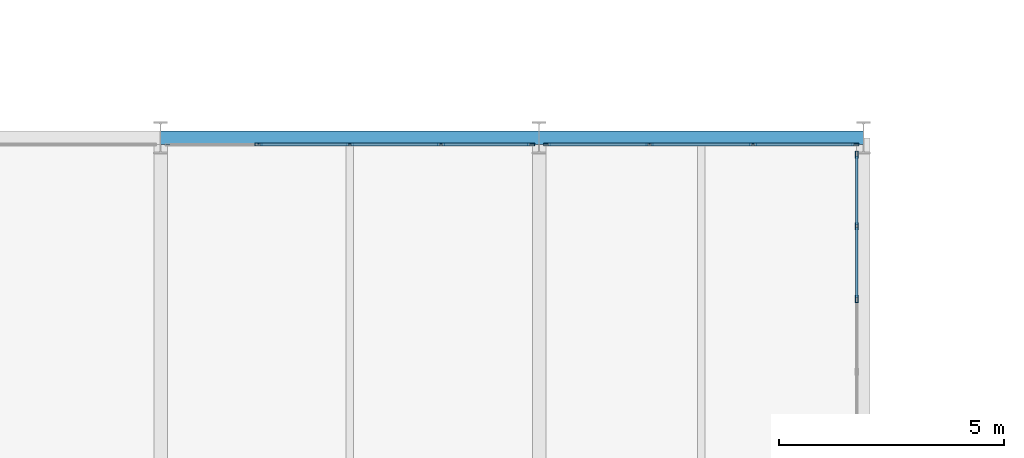
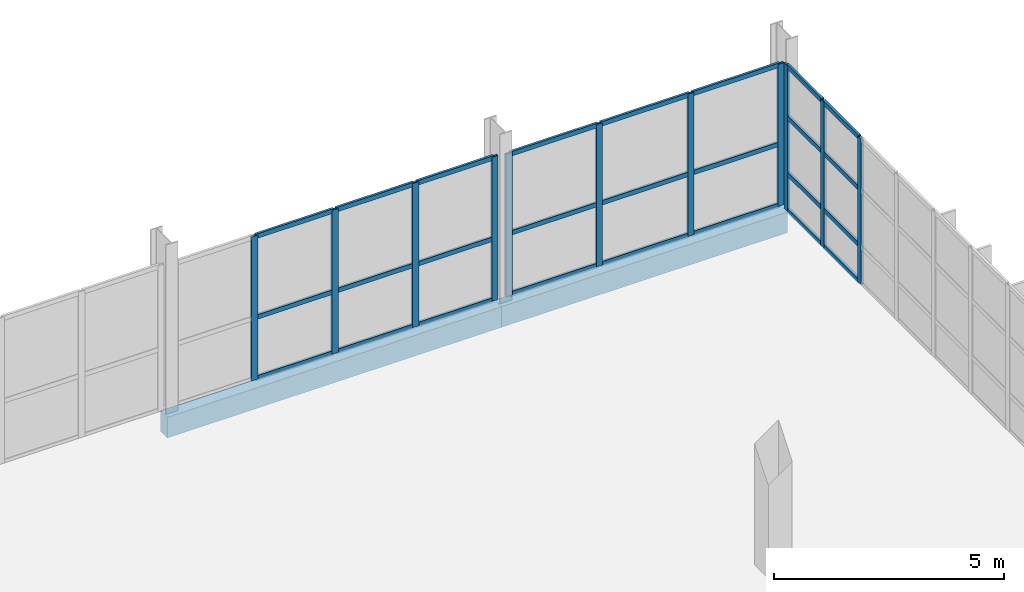
# One storey, part 86 of 113: 37 members, 2 beams, 3 elements without a shape of their own.
"""IFC4 building model written with IfcOpenShell, lengths in metres."""

from ifc_helpers import new_model, si_unit, direction, frame, origin, origin_2d, place, context, subcontext, project, spatial, rectangle, hollow_rectangle, extrude, material, material_profile, profile_set, type_object, element, aggregate, save


model = new_model("IFC4")

# Units and contexts
model_context = context("Model", 3, precision=1e-05, world=origin(), true_north=direction((0.0, 1.0)))
body_context = subcontext(model_context, "Body", "Model", "MODEL_VIEW")
ifc_project = project(units=[si_unit("LENGTHUNIT", "METRE"), si_unit("AREAUNIT", "SQUARE_METRE"), si_unit("VOLUMEUNIT", "CUBIC_METRE"), si_unit("PLANEANGLEUNIT", "RADIAN"), si_unit("MASSUNIT", "GRAM", prefix="KILO")], contexts=[model_context])

# Site, building, storey
site_placement = place(None, origin())
site = spatial("IfcSite", under=ifc_project, at=site_placement, CompositionType="ELEMENT")
building_placement = place(site_placement, origin())
building = spatial("IfcBuilding", under=site, at=building_placement, Name="Veltarok Museum of Natural Sciences", CompositionType="ELEMENT")
storey_placement = place(building_placement, frame((0.0, 0.0, 8.39990234375)))
storey = spatial("IfcBuildingStorey", under=building, at=storey_placement, Name="L01", CompositionType="ELEMENT", Elevation=8.39990234375)

# Curtain wall, members
ifc_material_1 = material(Name="Low-iron triple insulated glass", Category="glass")
curtain_wall_type_1 = type_object("IfcCurtainWallType", Name="Curtain Wall System CW-V5E-L01-G-1130x388 (V5 East Lab L01 G-H 1130x388cm)", PredefinedType="NOTDEFINED", material=ifc_material_1)
curtain_wall_1_placement = place(storey_placement, origin())
curtain_wall_1 = element("IfcCurtainWall", 1, at=curtain_wall_1_placement, inside=storey, type_object=curtain_wall_type_1, Name="Curtain Wall CW-V5E-L01-G-1130x388 CW-0108", PredefinedType="NOTDEFINED")
ifc_material_2 = material(Name="Thermally broken anodised aluminium", Category="aluminium")
ifc_material_profile_1 = material_profile(ifc_material_2, hollow_rectangle(XDim=0.06005859375, YDim=0.1201171875, WallThickness=0.0048828125, at=origin_2d()), Name="CW TRANSOM 60x120x5")
ifc_profile_set_1 = profile_set([ifc_material_profile_1], Name="Thermally broken anodised aluminium")
member_type_1 = type_object("IfcMemberType", Name="Curtain Wall Horizontal Transom 60x120x5", PredefinedType="USERDEFINED", material=ifc_profile_set_1)
member_1_placement = place(storey_placement, frame((164.64990234375, 68.451416015625, 0.030029296875), z_axis=(0.0, 1.0, 0.0), x_axis=(-1.0, 0.0, 0.0)))
member_1 = element("IfcMember", 2, at=member_1_placement, type_object=member_type_1, Name="CW-V5E-L01-G-1130x388 transom 6.1", ObjectType="TRANSOM", PredefinedType="USERDEFINED", context=body_context, shape_type="SweptSolid", body=[
    extrude(hollow_rectangle(XDim=0.06005859375, YDim=0.1201171875, WallThickness=0.0048828125, at=origin_2d()), origin(), (0.0, 0.0, 1.0), 1.55419921875),
])
member_2_placement = place(storey_placement, frame((164.64990234375, 68.451416015625, 1.0), z_axis=(0.0, 1.0, 0.0), x_axis=(-1.0, 0.0, 0.0)))
member_2 = element("IfcMember", 3, at=member_2_placement, type_object=member_type_1, Name="CW-V5E-L01-G-1130x388 transom 6.2", ObjectType="TRANSOM", PredefinedType="USERDEFINED", context=body_context, shape_type="SweptSolid", body=[
    extrude(hollow_rectangle(XDim=0.06005859375, YDim=0.1201171875, WallThickness=0.0048828125, at=origin_2d()), origin(), (0.0, 0.0, 1.0), 1.55419921875),
])
member_3_placement = place(storey_placement, frame((164.64990234375, 68.451416015625, 2.5), z_axis=(0.0, 1.0, 0.0), x_axis=(-1.0, 0.0, 0.0)))
member_3 = element("IfcMember", 4, at=member_3_placement, type_object=member_type_1, Name="CW-V5E-L01-G-1130x388 transom 6.3", ObjectType="TRANSOM", PredefinedType="USERDEFINED", context=body_context, shape_type="SweptSolid", body=[
    extrude(hollow_rectangle(XDim=0.06005859375, YDim=0.1201171875, WallThickness=0.0048828125, at=origin_2d()), origin(), (0.0, 0.0, 1.0), 1.55419921875),
])
member_4_placement = place(storey_placement, frame((164.64990234375, 68.451416015625, 3.85009765625), z_axis=(0.0, 1.0, 0.0), x_axis=(-1.0, 0.0, 0.0)))
member_4 = element("IfcMember", 5, at=member_4_placement, type_object=member_type_1, Name="CW-V5E-L01-G-1130x388 transom 6.4", ObjectType="TRANSOM", PredefinedType="USERDEFINED", context=body_context, shape_type="SweptSolid", body=[
    extrude(hollow_rectangle(XDim=0.06005859375, YDim=0.1201171875, WallThickness=0.0048828125, at=origin_2d()), origin(), (0.0, 0.0, 1.0), 1.55419921875),
])
member_5_placement = place(storey_placement, frame((164.64990234375, 70.065673828125, 0.030029296875), z_axis=(0.0, 1.0, 0.0), x_axis=(-1.0, 0.0, 0.0)))
member_5 = element("IfcMember", 6, at=member_5_placement, type_object=member_type_1, Name="CW-V5E-L01-G-1130x388 transom 7.1", ObjectType="TRANSOM", PredefinedType="USERDEFINED", context=body_context, shape_type="SweptSolid", body=[
    extrude(hollow_rectangle(XDim=0.06005859375, YDim=0.1201171875, WallThickness=0.0048828125, at=origin_2d()), origin(), (0.0, 0.0, 1.0), 1.5244140625),
])
member_6_placement = place(storey_placement, frame((164.64990234375, 70.065673828125, 1.0), z_axis=(0.0, 1.0, 0.0), x_axis=(-1.0, 0.0, 0.0)))
member_6 = element("IfcMember", 7, at=member_6_placement, type_object=member_type_1, Name="CW-V5E-L01-G-1130x388 transom 7.2", ObjectType="TRANSOM", PredefinedType="USERDEFINED", context=body_context, shape_type="SweptSolid", body=[
    extrude(hollow_rectangle(XDim=0.06005859375, YDim=0.1201171875, WallThickness=0.0048828125, at=origin_2d()), origin(), (0.0, 0.0, 1.0), 1.5244140625),
])
member_7_placement = place(storey_placement, frame((164.64990234375, 70.065673828125, 2.5), z_axis=(0.0, 1.0, 0.0), x_axis=(-1.0, 0.0, 0.0)))
member_7 = element("IfcMember", 8, at=member_7_placement, type_object=member_type_1, Name="CW-V5E-L01-G-1130x388 transom 7.3", ObjectType="TRANSOM", PredefinedType="USERDEFINED", context=body_context, shape_type="SweptSolid", body=[
    extrude(hollow_rectangle(XDim=0.06005859375, YDim=0.1201171875, WallThickness=0.0048828125, at=origin_2d()), origin(), (0.0, 0.0, 1.0), 1.5244140625),
])
member_8_placement = place(storey_placement, frame((164.64990234375, 70.065673828125, 3.85009765625), z_axis=(0.0, 1.0, 0.0), x_axis=(-1.0, 0.0, 0.0)))
member_8 = element("IfcMember", 9, at=member_8_placement, type_object=member_type_1, Name="CW-V5E-L01-G-1130x388 transom 7.4", ObjectType="TRANSOM", PredefinedType="USERDEFINED", context=body_context, shape_type="SweptSolid", body=[
    extrude(hollow_rectangle(XDim=0.06005859375, YDim=0.1201171875, WallThickness=0.0048828125, at=origin_2d()), origin(), (0.0, 0.0, 1.0), 1.5244140625),
])

curtain_wall_type_2 = type_object("IfcCurtainWallType", Name="Curtain Wall System CW-V5N-L01-1-810x383 (CW-V5N L01 810x383cm)", PredefinedType="NOTDEFINED", material=ifc_material_1)
curtain_wall_2_placement = place(storey_placement, origin())
curtain_wall_2 = element("IfcCurtainWall", 10, at=curtain_wall_2_placement, inside=storey, type_object=curtain_wall_type_2, Name="Curtain Wall CW-V5N-L01-1-810x383 CW-0201", PredefinedType="NOTDEFINED")
member_9_placement = place(storey_placement, frame((157.389892578125, 71.85009765625, 0.028076171875), z_axis=(-1.0, 0.0, 0.0), x_axis=(0.0, -1.0, 0.0)))
member_9 = element("IfcMember", 11, at=member_9_placement, type_object=member_type_1, Name="CW-V5N-L01-1-810x383 transom 1.1", ObjectType="TRANSOM", PredefinedType="USERDEFINED", context=body_context, shape_type="SweptSolid", body=[
    extrude(hollow_rectangle(XDim=0.06005859375, YDim=0.1201171875, WallThickness=0.0048828125, at=origin_2d()), origin(), (0.0, 0.0, 1.0), 1.934814453125),
])
member_10_placement = place(storey_placement, frame((157.389892578125, 71.85009765625, 1.648193359375), z_axis=(-1.0, 0.0, 0.0), x_axis=(0.0, -1.0, 0.0)))
member_10 = element("IfcMember", 12, at=member_10_placement, type_object=member_type_1, Name="CW-V5N-L01-1-810x383 transom 1.2", ObjectType="TRANSOM", PredefinedType="USERDEFINED", context=body_context, shape_type="SweptSolid", body=[
    extrude(hollow_rectangle(XDim=0.06005859375, YDim=0.1201171875, WallThickness=0.0048828125, at=origin_2d()), origin(), (0.0, 0.0, 1.0), 1.934814453125),
])
member_11_placement = place(storey_placement, frame((157.389892578125, 71.85009765625, 3.800048828125), z_axis=(-1.0, 0.0, 0.0), x_axis=(0.0, -1.0, 0.0)))
member_11 = element("IfcMember", 13, at=member_11_placement, type_object=member_type_1, Name="CW-V5N-L01-1-810x383 transom 1.3", ObjectType="TRANSOM", PredefinedType="USERDEFINED", context=body_context, shape_type="SweptSolid", body=[
    extrude(hollow_rectangle(XDim=0.06005859375, YDim=0.1201171875, WallThickness=0.0048828125, at=origin_2d()), origin(), (0.0, 0.0, 1.0), 1.934814453125),
])
member_12_placement = place(storey_placement, frame((155.39501953125, 71.85009765625, 0.028076171875), z_axis=(-1.0, 0.0, 0.0), x_axis=(0.0, -1.0, 0.0)))
member_12 = element("IfcMember", 14, at=member_12_placement, type_object=member_type_1, Name="CW-V5N-L01-1-810x383 transom 2.1", ObjectType="TRANSOM", PredefinedType="USERDEFINED", context=body_context, shape_type="SweptSolid", body=[
    extrude(hollow_rectangle(XDim=0.06005859375, YDim=0.1201171875, WallThickness=0.0048828125, at=origin_2d()), origin(), (0.0, 0.0, 1.0), 1.965087890625),
])
member_13_placement = place(storey_placement, frame((155.39501953125, 71.85009765625, 1.648193359375), z_axis=(-1.0, 0.0, 0.0), x_axis=(0.0, -1.0, 0.0)))
member_13 = element("IfcMember", 15, at=member_13_placement, type_object=member_type_1, Name="CW-V5N-L01-1-810x383 transom 2.2", ObjectType="TRANSOM", PredefinedType="USERDEFINED", context=body_context, shape_type="SweptSolid", body=[
    extrude(hollow_rectangle(XDim=0.06005859375, YDim=0.1201171875, WallThickness=0.0048828125, at=origin_2d()), origin(), (0.0, 0.0, 1.0), 1.965087890625),
])
member_14_placement = place(storey_placement, frame((155.39501953125, 71.85009765625, 3.800048828125), z_axis=(-1.0, 0.0, 0.0), x_axis=(0.0, -1.0, 0.0)))
member_14 = element("IfcMember", 16, at=member_14_placement, type_object=member_type_1, Name="CW-V5N-L01-1-810x383 transom 2.3", ObjectType="TRANSOM", PredefinedType="USERDEFINED", context=body_context, shape_type="SweptSolid", body=[
    extrude(hollow_rectangle(XDim=0.06005859375, YDim=0.1201171875, WallThickness=0.0048828125, at=origin_2d()), origin(), (0.0, 0.0, 1.0), 1.965087890625),
])
member_15_placement = place(storey_placement, frame((153.3701171875, 71.85009765625, 0.028076171875), z_axis=(-1.0, 0.0, 0.0), x_axis=(0.0, -1.0, 0.0)))
member_15 = element("IfcMember", 17, at=member_15_placement, type_object=member_type_1, Name="CW-V5N-L01-1-810x383 transom 3.1", ObjectType="TRANSOM", PredefinedType="USERDEFINED", context=body_context, shape_type="SweptSolid", body=[
    extrude(hollow_rectangle(XDim=0.06005859375, YDim=0.1201171875, WallThickness=0.0048828125, at=origin_2d()), origin(), (0.0, 0.0, 1.0), 1.965087890625),
])
member_16_placement = place(storey_placement, frame((153.3701171875, 71.85009765625, 1.648193359375), z_axis=(-1.0, 0.0, 0.0), x_axis=(0.0, -1.0, 0.0)))
member_16 = element("IfcMember", 18, at=member_16_placement, type_object=member_type_1, Name="CW-V5N-L01-1-810x383 transom 3.2", ObjectType="TRANSOM", PredefinedType="USERDEFINED", context=body_context, shape_type="SweptSolid", body=[
    extrude(hollow_rectangle(XDim=0.06005859375, YDim=0.1201171875, WallThickness=0.0048828125, at=origin_2d()), origin(), (0.0, 0.0, 1.0), 1.965087890625),
])
member_17_placement = place(storey_placement, frame((153.3701171875, 71.85009765625, 3.800048828125), z_axis=(-1.0, 0.0, 0.0), x_axis=(0.0, -1.0, 0.0)))
member_17 = element("IfcMember", 19, at=member_17_placement, type_object=member_type_1, Name="CW-V5N-L01-1-810x383 transom 3.3", ObjectType="TRANSOM", PredefinedType="USERDEFINED", context=body_context, shape_type="SweptSolid", body=[
    extrude(hollow_rectangle(XDim=0.06005859375, YDim=0.1201171875, WallThickness=0.0048828125, at=origin_2d()), origin(), (0.0, 0.0, 1.0), 1.965087890625),
])

curtain_wall_type_3 = type_object("IfcCurtainWallType", Name="Curtain Wall System CW-V5N-L01-2-690x378 (CW-V5N L01 690x378cm)", PredefinedType="NOTDEFINED", material=ifc_material_1)
curtain_wall_3_placement = place(storey_placement, origin())
curtain_wall_3 = element("IfcCurtainWall", 20, at=curtain_wall_3_placement, inside=storey, type_object=curtain_wall_type_3, Name="Curtain Wall CW-V5N-L01-2-690x378 CW-0202", PredefinedType="NOTDEFINED")
member_18_placement = place(storey_placement, frame((164.590087890625, 71.85009765625, 0.028076171875), z_axis=(-1.0, 0.0, 0.0), x_axis=(0.0, -1.0, 0.0)))
member_18 = element("IfcMember", 21, at=member_18_placement, type_object=member_type_1, Name="CW-V5N-L01-2-690x378 transom 1.1", ObjectType="TRANSOM", PredefinedType="USERDEFINED", context=body_context, shape_type="SweptSolid", body=[
    extrude(hollow_rectangle(XDim=0.06005859375, YDim=0.1201171875, WallThickness=0.0048828125, at=origin_2d()), origin(), (0.0, 0.0, 1.0), 2.210205078125),
])
member_19_placement = place(storey_placement, frame((164.590087890625, 71.85009765625, 1.648193359375), z_axis=(-1.0, 0.0, 0.0), x_axis=(0.0, -1.0, 0.0)))
member_19 = element("IfcMember", 22, at=member_19_placement, type_object=member_type_1, Name="CW-V5N-L01-2-690x378 transom 1.2", ObjectType="TRANSOM", PredefinedType="USERDEFINED", context=body_context, shape_type="SweptSolid", body=[
    extrude(hollow_rectangle(XDim=0.06005859375, YDim=0.1201171875, WallThickness=0.0048828125, at=origin_2d()), origin(), (0.0, 0.0, 1.0), 2.210205078125),
])
member_20_placement = place(storey_placement, frame((164.590087890625, 71.85009765625, 3.75), z_axis=(-1.0, 0.0, 0.0), x_axis=(0.0, -1.0, 0.0)))
member_20 = element("IfcMember", 23, at=member_20_placement, type_object=member_type_1, Name="CW-V5N-L01-2-690x378 transom 1.3", ObjectType="TRANSOM", PredefinedType="USERDEFINED", context=body_context, shape_type="SweptSolid", body=[
    extrude(hollow_rectangle(XDim=0.06005859375, YDim=0.1201171875, WallThickness=0.0048828125, at=origin_2d()), origin(), (0.0, 0.0, 1.0), 2.210205078125),
])
member_21_placement = place(storey_placement, frame((162.320068359375, 71.85009765625, 0.028076171875), z_axis=(-1.0, 0.0, 0.0), x_axis=(0.0, -1.0, 0.0)))
member_21 = element("IfcMember", 24, at=member_21_placement, type_object=member_type_1, Name="CW-V5N-L01-2-690x378 transom 2.1", ObjectType="TRANSOM", PredefinedType="USERDEFINED", context=body_context, shape_type="SweptSolid", body=[
    extrude(hollow_rectangle(XDim=0.06005859375, YDim=0.1201171875, WallThickness=0.0048828125, at=origin_2d()), origin(), (0.0, 0.0, 1.0), 2.239990234375),
])
member_22_placement = place(storey_placement, frame((162.320068359375, 71.85009765625, 1.648193359375), z_axis=(-1.0, 0.0, 0.0), x_axis=(0.0, -1.0, 0.0)))
member_22 = element("IfcMember", 25, at=member_22_placement, type_object=member_type_1, Name="CW-V5N-L01-2-690x378 transom 2.2", ObjectType="TRANSOM", PredefinedType="USERDEFINED", context=body_context, shape_type="SweptSolid", body=[
    extrude(hollow_rectangle(XDim=0.06005859375, YDim=0.1201171875, WallThickness=0.0048828125, at=origin_2d()), origin(), (0.0, 0.0, 1.0), 2.239990234375),
])
member_23_placement = place(storey_placement, frame((162.320068359375, 71.85009765625, 3.75), z_axis=(-1.0, 0.0, 0.0), x_axis=(0.0, -1.0, 0.0)))
member_23 = element("IfcMember", 26, at=member_23_placement, type_object=member_type_1, Name="CW-V5N-L01-2-690x378 transom 2.3", ObjectType="TRANSOM", PredefinedType="USERDEFINED", context=body_context, shape_type="SweptSolid", body=[
    extrude(hollow_rectangle(XDim=0.06005859375, YDim=0.1201171875, WallThickness=0.0048828125, at=origin_2d()), origin(), (0.0, 0.0, 1.0), 2.239990234375),
])
member_24_placement = place(storey_placement, frame((160.02001953125, 71.85009765625, 0.028076171875), z_axis=(-1.0, 0.0, 0.0), x_axis=(0.0, -1.0, 0.0)))
member_24 = element("IfcMember", 27, at=member_24_placement, type_object=member_type_1, Name="CW-V5N-L01-2-690x378 transom 3.1", ObjectType="TRANSOM", PredefinedType="USERDEFINED", context=body_context, shape_type="SweptSolid", body=[
    extrude(hollow_rectangle(XDim=0.06005859375, YDim=0.1201171875, WallThickness=0.0048828125, at=origin_2d()), origin(), (0.0, 0.0, 1.0), 2.2099609375),
])
member_25_placement = place(storey_placement, frame((160.02001953125, 71.85009765625, 1.648193359375), z_axis=(-1.0, 0.0, 0.0), x_axis=(0.0, -1.0, 0.0)))
member_25 = element("IfcMember", 28, at=member_25_placement, type_object=member_type_1, Name="CW-V5N-L01-2-690x378 transom 3.2", ObjectType="TRANSOM", PredefinedType="USERDEFINED", context=body_context, shape_type="SweptSolid", body=[
    extrude(hollow_rectangle(XDim=0.06005859375, YDim=0.1201171875, WallThickness=0.0048828125, at=origin_2d()), origin(), (0.0, 0.0, 1.0), 2.2099609375),
])
member_26_placement = place(storey_placement, frame((160.02001953125, 71.85009765625, 3.75), z_axis=(-1.0, 0.0, 0.0), x_axis=(0.0, -1.0, 0.0)))
member_26 = element("IfcMember", 29, at=member_26_placement, type_object=member_type_1, Name="CW-V5N-L01-2-690x378 transom 3.3", ObjectType="TRANSOM", PredefinedType="USERDEFINED", context=body_context, shape_type="SweptSolid", body=[
    extrude(hollow_rectangle(XDim=0.06005859375, YDim=0.1201171875, WallThickness=0.0048828125, at=origin_2d()), origin(), (0.0, 0.0, 1.0), 2.2099609375),
])

# Member
ifc_material_profile_2 = material_profile(ifc_material_2, hollow_rectangle(XDim=0.06005859375, YDim=0.159912109375, WallThickness=0.0048828125, at=origin_2d()), Name="CW MULLION 60x160x5")
ifc_profile_set_2 = profile_set([ifc_material_profile_2], Name="Thermally broken anodised aluminium")
member_type_2 = type_object("IfcMemberType", Name="Curtain Wall Vertical Mullion 60x160x5", PredefinedType="MULLION", material=ifc_profile_set_2)
member_27_placement = place(storey_placement, frame((164.64990234375, 68.42138671875, 0.0), z_axis=(0.0, 0.0, 1.0), x_axis=(-1.0, 0.0, 0.0)))
member_27 = element("IfcMember", 30, at=member_27_placement, type_object=member_type_2, Name="CW-V5E-L01-G-1130x388 mullion 6", PredefinedType="MULLION", context=body_context, shape_type="SweptSolid", body=[
    extrude(hollow_rectangle(XDim=0.06005859375, YDim=0.159912109375, WallThickness=0.0048828125, at=origin_2d()), origin(), (0.0, 0.0, 1.0), 3.880126953125),
])

member_28_placement = place(storey_placement, frame((164.64990234375, 70.03564453125, 0.0), z_axis=(0.0, 0.0, 1.0), x_axis=(-1.0, 0.0, 0.0)))
member_28 = element("IfcMember", 31, at=member_28_placement, type_object=member_type_2, Name="CW-V5E-L01-G-1130x388 mullion 7", PredefinedType="MULLION", context=body_context, shape_type="SweptSolid", body=[
    extrude(hollow_rectangle(XDim=0.06005859375, YDim=0.159912109375, WallThickness=0.0048828125, at=origin_2d()), origin(), (0.0, 0.0, 1.0), 3.880126953125),
])

member_29_placement = place(storey_placement, frame((164.64990234375, 71.6201171875, 0.0), z_axis=(0.0, 0.0, 1.0), x_axis=(-1.0, 0.0, 0.0)))
member_29 = element("IfcMember", 32, at=member_29_placement, type_object=member_type_2, Name="CW-V5E-L01-G-1130x388 mullion 8", PredefinedType="MULLION", context=body_context, shape_type="SweptSolid", body=[
    extrude(hollow_rectangle(XDim=0.06005859375, YDim=0.159912109375, WallThickness=0.0048828125, at=origin_2d()), origin(), (0.0, 0.0, 1.0), 3.880126953125),
])

aggregate(curtain_wall_1, [member_27, member_28, member_29, member_1, member_2, member_3, member_4, member_5, member_6, member_7, member_8])

member_30_placement = place(storey_placement, frame((157.419921875, 71.85009765625, -0.001953125), z_axis=(0.0, 0.0, 1.0), x_axis=(0.0, -1.0, 0.0)))
member_30 = element("IfcMember", 33, at=member_30_placement, type_object=member_type_2, Name="CW-V5N-L01-1-810x383 mullion 1", PredefinedType="MULLION", context=body_context, shape_type="SweptSolid", body=[
    extrude(hollow_rectangle(XDim=0.06005859375, YDim=0.159912109375, WallThickness=0.0048828125, at=origin_2d()), origin(), (0.0, 0.0, 1.0), 3.83203125),
])

member_31_placement = place(storey_placement, frame((155.425048828125, 71.85009765625, -0.001953125), z_axis=(0.0, 0.0, 1.0), x_axis=(0.0, -1.0, 0.0)))
member_31 = element("IfcMember", 34, at=member_31_placement, type_object=member_type_2, Name="CW-V5N-L01-1-810x383 mullion 2", PredefinedType="MULLION", context=body_context, shape_type="SweptSolid", body=[
    extrude(hollow_rectangle(XDim=0.06005859375, YDim=0.159912109375, WallThickness=0.0048828125, at=origin_2d()), origin(), (0.0, 0.0, 1.0), 3.83203125),
])

member_32_placement = place(storey_placement, frame((153.39990234375, 71.85009765625, -0.001953125), z_axis=(0.0, 0.0, 1.0), x_axis=(0.0, -1.0, 0.0)))
member_32 = element("IfcMember", 35, at=member_32_placement, type_object=member_type_2, Name="CW-V5N-L01-1-810x383 mullion 3", PredefinedType="MULLION", context=body_context, shape_type="SweptSolid", body=[
    extrude(hollow_rectangle(XDim=0.06005859375, YDim=0.159912109375, WallThickness=0.0048828125, at=origin_2d()), origin(), (0.0, 0.0, 1.0), 3.83203125),
])

member_33_placement = place(storey_placement, frame((151.375, 71.85009765625, -0.001953125), z_axis=(0.0, 0.0, 1.0), x_axis=(0.0, -1.0, 0.0)))
member_33 = element("IfcMember", 36, at=member_33_placement, type_object=member_type_2, Name="CW-V5N-L01-1-810x383 mullion 4", PredefinedType="MULLION", context=body_context, shape_type="SweptSolid", body=[
    extrude(hollow_rectangle(XDim=0.06005859375, YDim=0.159912109375, WallThickness=0.0048828125, at=origin_2d()), origin(), (0.0, 0.0, 1.0), 3.83203125),
])

aggregate(curtain_wall_2, [member_30, member_31, member_32, member_33, member_9, member_10, member_11, member_12, member_13, member_14, member_15, member_16, member_17])

member_34_placement = place(storey_placement, frame((164.6201171875, 71.85009765625, -0.001953125), z_axis=(0.0, 0.0, 1.0), x_axis=(0.0, -1.0, 0.0)))
member_34 = element("IfcMember", 37, at=member_34_placement, type_object=member_type_2, Name="CW-V5N-L01-2-690x378 mullion 1", PredefinedType="MULLION", context=body_context, shape_type="SweptSolid", body=[
    extrude(hollow_rectangle(XDim=0.06005859375, YDim=0.159912109375, WallThickness=0.0048828125, at=origin_2d()), origin(), (0.0, 0.0, 1.0), 3.781982421875),
])

member_35_placement = place(storey_placement, frame((162.35009765625, 71.85009765625, -0.001953125), z_axis=(0.0, 0.0, 1.0), x_axis=(0.0, -1.0, 0.0)))
member_35 = element("IfcMember", 38, at=member_35_placement, type_object=member_type_2, Name="CW-V5N-L01-2-690x378 mullion 2", PredefinedType="MULLION", context=body_context, shape_type="SweptSolid", body=[
    extrude(hollow_rectangle(XDim=0.06005859375, YDim=0.159912109375, WallThickness=0.0048828125, at=origin_2d()), origin(), (0.0, 0.0, 1.0), 3.781982421875),
])

member_36_placement = place(storey_placement, frame((160.050048828125, 71.85009765625, -0.001953125), z_axis=(0.0, 0.0, 1.0), x_axis=(0.0, -1.0, 0.0)))
member_36 = element("IfcMember", 39, at=member_36_placement, type_object=member_type_2, Name="CW-V5N-L01-2-690x378 mullion 3", PredefinedType="MULLION", context=body_context, shape_type="SweptSolid", body=[
    extrude(hollow_rectangle(XDim=0.06005859375, YDim=0.159912109375, WallThickness=0.0048828125, at=origin_2d()), origin(), (0.0, 0.0, 1.0), 3.781982421875),
])

member_37_placement = place(storey_placement, frame((157.780029296875, 71.85009765625, -0.001953125), z_axis=(0.0, 0.0, 1.0), x_axis=(0.0, -1.0, 0.0)))
member_37 = element("IfcMember", 40, at=member_37_placement, type_object=member_type_2, Name="CW-V5N-L01-2-690x378 mullion 4", PredefinedType="MULLION", context=body_context, shape_type="SweptSolid", body=[
    extrude(hollow_rectangle(XDim=0.06005859375, YDim=0.159912109375, WallThickness=0.0048828125, at=origin_2d()), origin(), (0.0, 0.0, 1.0), 3.781982421875),
])

aggregate(curtain_wall_3, [member_34, member_35, member_36, member_37, member_18, member_19, member_20, member_21, member_22, member_23, member_24, member_25, member_26])

# Beams
ifc_material_3 = material(Name="Precast concrete C40/50", Category="concrete")
ifc_material_profile_3 = material_profile(ifc_material_3, rectangle(XDim=0.300048828125, YDim=0.550048828125, at=origin_2d()), Name="RC 300x550")
ifc_profile_set_3 = profile_set([ifc_material_profile_3], Name="Precast concrete C40/50")
beam_type = type_object("IfcBeamType", Name="East Wing Precast Spandrel RC 300x550", PredefinedType="SPANDREL", material=ifc_profile_set_3)
beam_1_placement = place(storey_placement, frame((149.199951171875, 72.0, -0.52490234375), z_axis=(1.0, 0.0, 0.0), x_axis=(0.0, 1.0, 0.0)))
element("IfcBeam", 41, at=beam_1_placement, inside=storey, type_object=beam_type, Name="Beam BM-SP02 L01 18-19/H", PredefinedType="SPANDREL", context=body_context, shape_type="SweptSolid", body=[
    extrude(rectangle(XDim=0.300048828125, YDim=0.550048828125, at=origin_2d()), origin(), (0.0, 0.0, 1.0), 8.400146484375),
])
beam_2_placement = place(storey_placement, frame((157.60009765625, 72.0, -0.52490234375), z_axis=(1.0, 0.0, 0.0), x_axis=(0.0, 1.0, 0.0)))
element("IfcBeam", 42, at=beam_2_placement, inside=storey, type_object=beam_type, Name="Beam BM-SP02 L01 19-20/H", PredefinedType="SPANDREL", context=body_context, shape_type="SweptSolid", body=[
    extrude(rectangle(XDim=0.300048828125, YDim=0.550048828125, at=origin_2d()), origin(), (0.0, 0.0, 1.0), 7.199951171875),
])

save(model, "model.ifc")
